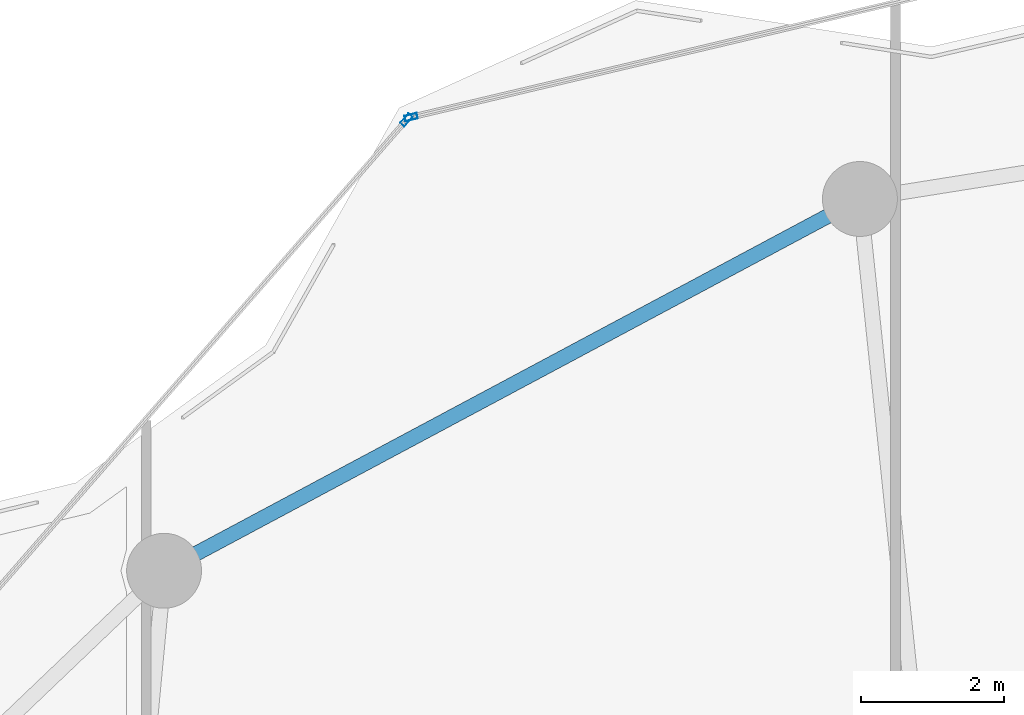
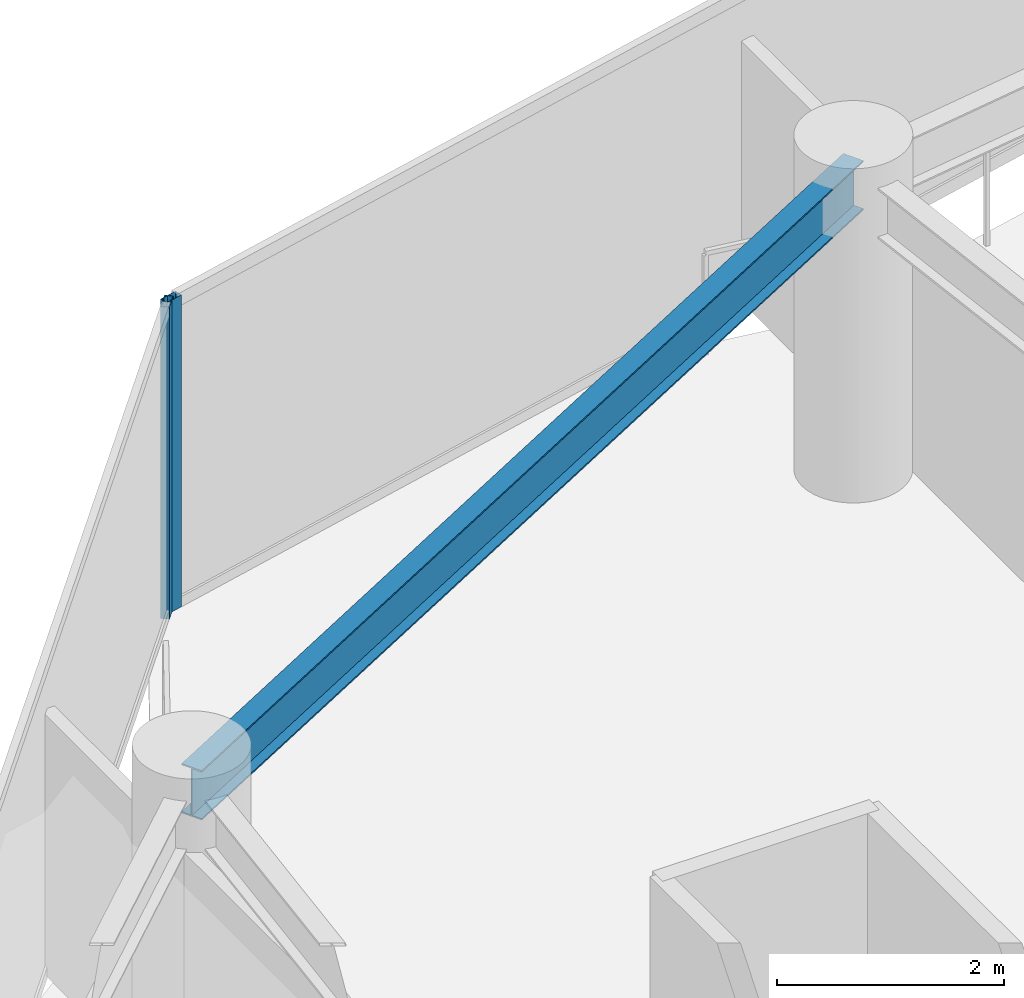
# One storey, part 17 of 29: 2 members, 1 beam, 2 elements without a shape of their own.
"""IFC4 building model written with IfcOpenShell, lengths in metres."""

from ifc_helpers import new_model, si_unit, direction, frame, origin, origin_2d, place, context, subcontext, project, spatial, hollow_rectangle, i_section, extrude, material, layer, layer_set, material_profile, profile_set, type_object, element, aggregate, save


model = new_model("IFC4")

# Units and contexts
model_context = context("Model", 3, precision=1e-05, world=origin(), true_north=direction((0.0, 1.0)))
body_context = subcontext(model_context, "Body", "Model", "MODEL_VIEW")
ifc_project = project(units=[si_unit("LENGTHUNIT", "METRE"), si_unit("AREAUNIT", "SQUARE_METRE"), si_unit("VOLUMEUNIT", "CUBIC_METRE"), si_unit("PLANEANGLEUNIT", "RADIAN"), si_unit("MASSUNIT", "GRAM", prefix="KILO")], contexts=[model_context])

# Site, building, storey
site_placement = place(None, origin())
site = spatial("IfcSite", under=ifc_project, at=site_placement, CompositionType="ELEMENT")
building_placement = place(site_placement, origin())
building = spatial("IfcBuilding", under=site, at=building_placement, Name="Kazevale Care Tower and Concert Hall", CompositionType="ELEMENT")
storey_placement = place(building_placement, frame((0.0, 0.0, 213.60009765625)))
storey = spatial("IfcBuildingStorey", under=building, at=storey_placement, Name="L56", CompositionType="ELEMENT", Elevation=213.60009765625)

# Curtain wall, member
ifc_material_1 = material(Name="Aluminium 6063-T6 and Low-E Glass", Category="aluminium")
ifc_layer_1 = layer(ifc_material_1, 0.179931640625)
ifc_layer_set_1 = layer_set([ifc_layer_1], Name="Aluminium 6063-T6 and Low-E Glass")
curtain_wall_type_1 = type_object("IfcCurtainWallType", Name="Convex Checkerboard Finned Curtain Wall CW-2", PredefinedType="NOTDEFINED", material=ifc_layer_set_1)
curtain_wall_1_placement = place(storey_placement, origin())
curtain_wall_1 = element("IfcCurtainWall", 1, at=curtain_wall_1_placement, inside=storey, type_object=curtain_wall_type_1, Name="cw:L56:f14", PredefinedType="NOTDEFINED")
ifc_material_2 = material(Name="Aluminium 6063-T6", Category="aluminium")
ifc_material_profile_1 = material_profile(ifc_material_2, hollow_rectangle(XDim=0.080078125, YDim=0.179931640625, WallThickness=0.0048828125, at=origin_2d()), Name="ALU80x180x5")
ifc_profile_set_1 = profile_set([ifc_material_profile_1], Name="Aluminium 6063-T6")
member_type_1 = type_object("IfcMemberType", Name="CW-2 Mullion ALU80x180x5", PredefinedType="MULLION", material=ifc_profile_set_1)
member_1_placement = place(storey_placement, frame((27.145751953125, 61.326904296875, 0.0), z_axis=(0.0, 0.0, 1.0), x_axis=(-0.753738225685, 0.657174776708, 0.0)))
member_1 = element("IfcMember", 2, at=member_1_placement, type_object=member_type_1, Name="CW-2 mullion 2", PredefinedType="MULLION", context=body_context, shape_type="SweptSolid", body=[
    extrude(hollow_rectangle(XDim=0.080078125, YDim=0.179931640625, WallThickness=0.0048828125, at=origin_2d()), origin(), (0.0, 0.0, 1.0), 3.35986328125),
])
aggregate(curtain_wall_1, [member_1])

ifc_layer_2 = layer(ifc_material_1, 0.179931640625)
ifc_layer_set_2 = layer_set([ifc_layer_2], Name="Aluminium 6063-T6 and Low-E Glass")
curtain_wall_type_2 = type_object("IfcCurtainWallType", Name="Waist & Upper Residential Curtain Wall CW-4", PredefinedType="NOTDEFINED", material=ifc_layer_set_2)
curtain_wall_2_placement = place(storey_placement, origin())
curtain_wall_2 = element("IfcCurtainWall", 3, at=curtain_wall_2_placement, inside=storey, type_object=curtain_wall_type_2, Name="cw:L56:f15", PredefinedType="NOTDEFINED")
ifc_material_profile_2 = material_profile(ifc_material_2, hollow_rectangle(XDim=0.080078125, YDim=0.179931640625, WallThickness=0.0048828125, at=origin_2d()), Name="ALU80x180x5")
ifc_profile_set_2 = profile_set([ifc_material_profile_2], Name="Aluminium 6063-T6")
member_type_2 = type_object("IfcMemberType", Name="CW-4 Mullion ALU80x180x5", PredefinedType="MULLION", material=ifc_profile_set_2)
member_2_placement = place(storey_placement, frame((27.2109375, 61.3662109375, 0.0), z_axis=(0.0, 0.0, 1.0), x_axis=(-0.230439111929, 0.973086746233, 0.0)))
member_2 = element("IfcMember", 4, at=member_2_placement, type_object=member_type_2, Name="CW-4 mullion 1", PredefinedType="MULLION", context=body_context, shape_type="SweptSolid", body=[
    extrude(hollow_rectangle(XDim=0.080078125, YDim=0.179931640625, WallThickness=0.0048828125, at=origin_2d()), origin(), (0.0, 0.0, 1.0), 3.35986328125),
])
aggregate(curtain_wall_2, [member_2])

# Beam
ifc_material_3 = material(Name="Steel ASTM A572 Gr 50", Category="steel")
ifc_material_profile_3 = material_profile(ifc_material_3, i_section(OverallWidth=0.208984375, OverallDepth=0.532958984375, WebThickness=0.01025390625, FlangeThickness=0.015625, at=origin_2d()), Name="W530x92")
ifc_profile_set_3 = profile_set([ifc_material_profile_3], Name="Steel ASTM A572 Gr 50")
beam_type = type_object("IfcBeamType", Name="Upper Ring Beam W530x92", PredefinedType="BEAM", material=ifc_profile_set_3)
beam_placement = place(storey_placement, frame((33.5, 60.219970703125, 3.093505859375), z_axis=(-0.881978519833, -0.471289603697, 0.0), x_axis=(0.471289603697, -0.881978519833, 0.0)))
element("IfcBeam", 5, at=beam_placement, inside=storey, type_object=beam_type, Name="beam:L56:ring:06", PredefinedType="BEAM", context=body_context, shape_type="SweptSolid", body=[
    extrude(i_section(OverallWidth=0.208984375, OverallDepth=0.532958984375, WebThickness=0.01025390625, FlangeThickness=0.015625, at=origin_2d()), origin(), (0.0, 0.0, 1.0), 11.0546875),
])

save(model, "model.ifc")
